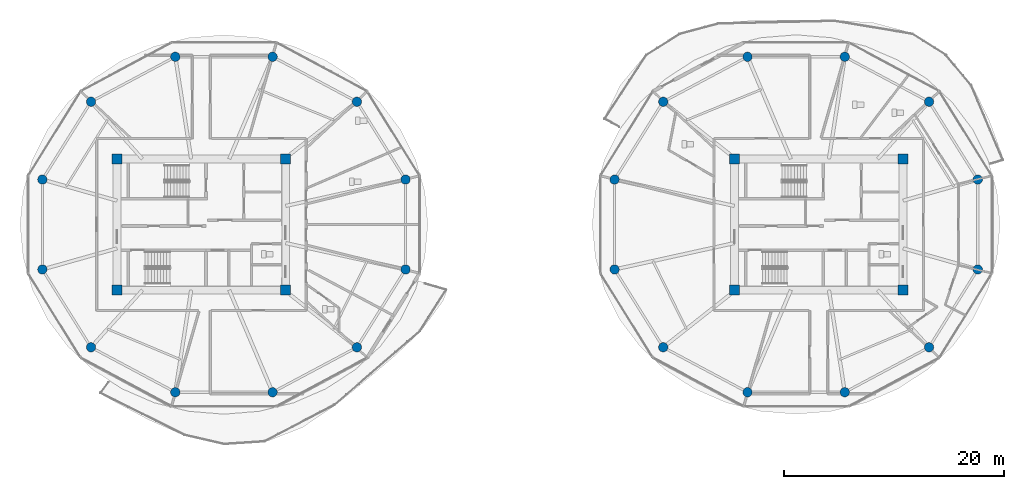
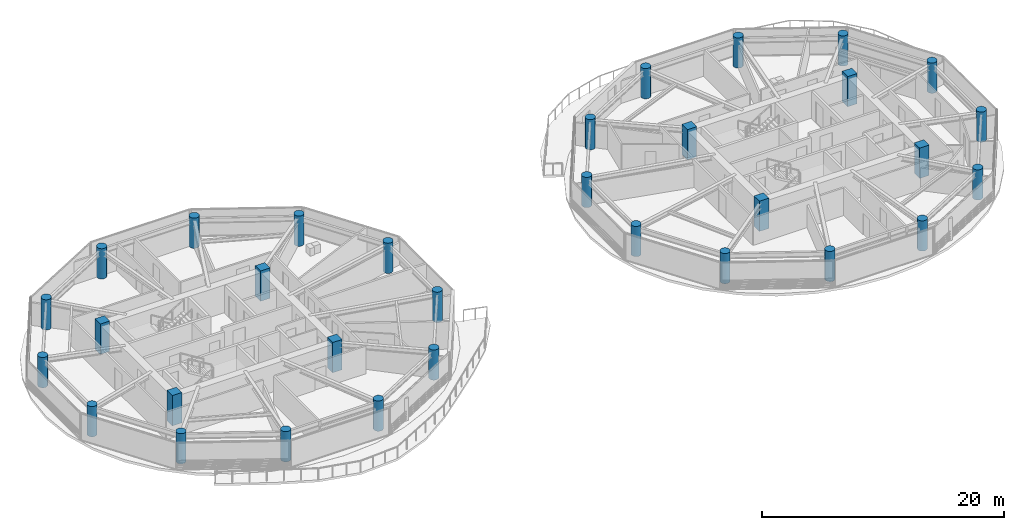
# One storey, part 1 of 24: 32 columns.
"""IFC4 building model written with IfcOpenShell, lengths in metres."""

from ifc_helpers import new_model, si_unit, direction, frame, origin, origin_2d, place, context, subcontext, project, spatial, rectangle, circle, extrude, source, transform, mapped, material, material_profile, profile_set, type_object, type_shapes, element, save


model = new_model("IFC4")

# Units and contexts
model_context = context("Model", 3, precision=1e-05, world=origin(), true_north=direction((0.0, 1.0)))
body_context = subcontext(model_context, "Body", "Model", "MODEL_VIEW")
ifc_project = project(units=[si_unit("LENGTHUNIT", "METRE"), si_unit("AREAUNIT", "SQUARE_METRE"), si_unit("VOLUMEUNIT", "CUBIC_METRE"), si_unit("PLANEANGLEUNIT", "RADIAN"), si_unit("MASSUNIT", "GRAM", prefix="KILO")], contexts=[model_context])

# Site, building, storey
site_placement = place(None, origin())
site = spatial("IfcSite", under=ifc_project, at=site_placement, CompositionType="ELEMENT")
building_placement = place(site_placement, origin())
building = spatial("IfcBuilding", under=site, at=building_placement, Name="Norrkilde Senior Care Towers", CompositionType="ELEMENT")
storey_placement = place(building_placement, frame((0.0, 0.0, 114.550048828125)))
storey = spatial("IfcBuildingStorey", under=building, at=storey_placement, Name="L35", CompositionType="ELEMENT", Elevation=114.550048828125)

# Columns
ifc_material = material(Name="Concrete C60/75", Category="concrete")
ifc_material_profile_1 = material_profile(ifc_material, rectangle(XDim=0.89990234375, YDim=0.89990234375, at=origin_2d()), Name="RC COL 900x900")
ifc_profile_set_1 = profile_set([ifc_material_profile_1], Name="Concrete C60/75")
column_type_1 = type_object("IfcColumnType", Name="Column Core Corner Z1-Z2 900", PredefinedType="COLUMN", material=ifc_profile_set_1)
shared_shape_1 = source(origin(), body_context, "Body", "SweptSolid", [
    extrude(rectangle(XDim=0.89990234375, YDim=0.89990234375, at=origin_2d()), origin(), (0.0, 0.0, 1.0), 3.050048828125),
])
type_shapes(column_type_1, [shared_shape_1])
for number, where, z_axis, x_axis, name in (
    (1, (-35.64990234375, -5.949951171875, 0.0), (0.0, 0.0, 1.0), (1.0, 0.0, 0.0), "L35 Core W Corner Column 1"),
    (2, (-20.35009765625, -5.949951171875, 0.0), (0.0, 0.0, 1.0), (1.0, 0.0, 0.0), "L35 Core W Corner Column 2"),
    (3, (-20.35009765625, 5.949951171875, 0.0), (0.0, 0.0, 1.0), (1.0, 0.0, 0.0), "L35 Core W Corner Column 3"),
    (4, (-35.64990234375, 5.949951171875, 0.0), (0.0, 0.0, 1.0), (1.0, 0.0, 0.0), "L35 Core W Corner Column 4"),
    (5, (20.35009765625, -5.949951171875, 0.0), (0.0, 0.0, 1.0), (1.0, 0.0, 0.0), "L35 Core E Corner Column 1"),
    (6, (35.64990234375, -5.949951171875, 0.0), (0.0, 0.0, 1.0), (1.0, 0.0, 0.0), "L35 Core E Corner Column 2"),
    (7, (35.64990234375, 5.949951171875, 0.0), (0.0, 0.0, 1.0), (1.0, 0.0, 0.0), "L35 Core E Corner Column 3"),
    (8, (20.35009765625, 5.949951171875, 0.0), (0.0, 0.0, 1.0), (1.0, 0.0, 0.0), "L35 Core E Corner Column 4"),
):
    element("IfcColumn", number, at=place(storey_placement, frame(where, z_axis=z_axis, x_axis=x_axis)), inside=storey, type_object=column_type_1, Name=name, PredefinedType="COLUMN", context=body_context, shape_type="MappedRepresentation", body=[
        mapped(shared_shape_1, transform((0.0, 0.0, 0.0), x_axis=(1.0, 0.0, 0.0), y_axis=(0.0, 1.0, 0.0), z_axis=(0.0, 0.0, 1.0), scale=1.0)),
    ])
ifc_material_profile_2 = material_profile(ifc_material, circle(Radius=0.425048828125, at=origin_2d()), Name="RC CIR 850")
ifc_profile_set_2 = profile_set([ifc_material_profile_2], Name="Concrete C60/75")
column_type_2 = type_object("IfcColumnType", Name="Column Perimeter Z2 850", PredefinedType="COLUMN", material=ifc_profile_set_2)
shared_shape_2 = source(origin(), body_context, "Body", "SweptSolid", [
    extrude(circle(Radius=0.425048828125, at=origin_2d()), origin(), (0.0, 0.0, 1.0), 3.050048828125),
])
type_shapes(column_type_2, [shared_shape_2])
for number, where, z_axis, x_axis, name in (
    (9, (-9.48095703125, 4.076416015625, 0.0), (0.0, 0.0, 1.0), (1.0, 0.0, 0.0), "L35 Drum W Perimeter Column 01"),
    (10, (-13.893798828125, 11.136962890625, 0.0), (0.0, 0.0, 1.0), (1.0, 0.0, 0.0), "L35 Drum W Perimeter Column 02"),
    (11, (-21.537109375, 15.21337890625, 0.0), (0.0, 0.0, 1.0), (1.0, 0.0, 0.0), "L35 Drum W Perimeter Column 03"),
    (12, (-30.36279296875, 15.21337890625, 0.0), (0.0, 0.0, 1.0), (1.0, 0.0, 0.0), "L35 Drum W Perimeter Column 04"),
    (13, (-38.006103515625, 11.136962890625, 0.0), (0.0, 0.0, 1.0), (1.0, 0.0, 0.0), "L35 Drum W Perimeter Column 05"),
    (14, (-42.4189453125, 4.076416015625, 0.0), (0.0, 0.0, 1.0), (1.0, 0.0, 0.0), "L35 Drum W Perimeter Column 06"),
    (15, (-42.4189453125, -4.076416015625, 0.0), (0.0, 0.0, 1.0), (1.0, 0.0, 0.0), "L35 Drum W Perimeter Column 07"),
    (16, (-38.006103515625, -11.136962890625, 0.0), (0.0, 0.0, 1.0), (1.0, 0.0, 0.0), "L35 Drum W Perimeter Column 08"),
    (17, (-30.36279296875, -15.21337890625, 0.0), (0.0, 0.0, 1.0), (1.0, 0.0, 0.0), "L35 Drum W Perimeter Column 09"),
    (18, (-21.537109375, -15.21337890625, 0.0), (0.0, 0.0, 1.0), (1.0, 0.0, 0.0), "L35 Drum W Perimeter Column 10"),
    (19, (-13.893798828125, -11.136962890625, 0.0), (0.0, 0.0, 1.0), (1.0, 0.0, 0.0), "L35 Drum W Perimeter Column 11"),
    (20, (-9.48095703125, -4.076416015625, 0.0), (0.0, 0.0, 1.0), (1.0, 0.0, 0.0), "L35 Drum W Perimeter Column 12"),
    (21, (42.4189453125, 4.076416015625, 0.0), (0.0, 0.0, 1.0), (1.0, 0.0, 0.0), "L35 Drum E Perimeter Column 01"),
    (22, (38.006103515625, 11.136962890625, 0.0), (0.0, 0.0, 1.0), (1.0, 0.0, 0.0), "L35 Drum E Perimeter Column 02"),
    (23, (30.36279296875, 15.21337890625, 0.0), (0.0, 0.0, 1.0), (1.0, 0.0, 0.0), "L35 Drum E Perimeter Column 03"),
    (24, (21.537109375, 15.21337890625, 0.0), (0.0, 0.0, 1.0), (1.0, 0.0, 0.0), "L35 Drum E Perimeter Column 04"),
    (25, (13.893798828125, 11.136962890625, 0.0), (0.0, 0.0, 1.0), (1.0, 0.0, 0.0), "L35 Drum E Perimeter Column 05"),
    (26, (9.48095703125, 4.076416015625, 0.0), (0.0, 0.0, 1.0), (1.0, 0.0, 0.0), "L35 Drum E Perimeter Column 06"),
    (27, (9.48095703125, -4.076416015625, 0.0), (0.0, 0.0, 1.0), (1.0, 0.0, 0.0), "L35 Drum E Perimeter Column 07"),
    (28, (13.893798828125, -11.136962890625, 0.0), (0.0, 0.0, 1.0), (1.0, 0.0, 0.0), "L35 Drum E Perimeter Column 08"),
    (29, (21.537109375, -15.21337890625, 0.0), (0.0, 0.0, 1.0), (1.0, 0.0, 0.0), "L35 Drum E Perimeter Column 09"),
    (30, (30.36279296875, -15.21337890625, 0.0), (0.0, 0.0, 1.0), (1.0, 0.0, 0.0), "L35 Drum E Perimeter Column 10"),
    (31, (38.006103515625, -11.136962890625, 0.0), (0.0, 0.0, 1.0), (1.0, 0.0, 0.0), "L35 Drum E Perimeter Column 11"),
    (32, (42.4189453125, -4.076416015625, 0.0), (0.0, 0.0, 1.0), (1.0, 0.0, 0.0), "L35 Drum E Perimeter Column 12"),
):
    element("IfcColumn", number, at=place(storey_placement, frame(where, z_axis=z_axis, x_axis=x_axis)), inside=storey, type_object=column_type_2, Name=name, PredefinedType="COLUMN", context=body_context, shape_type="MappedRepresentation", body=[
        mapped(shared_shape_2, transform((0.0, 0.0, 0.0), x_axis=(1.0, 0.0, 0.0), y_axis=(0.0, 1.0, 0.0), z_axis=(0.0, 0.0, 1.0), scale=1.0)),
    ])

save(model, "model.ifc")
